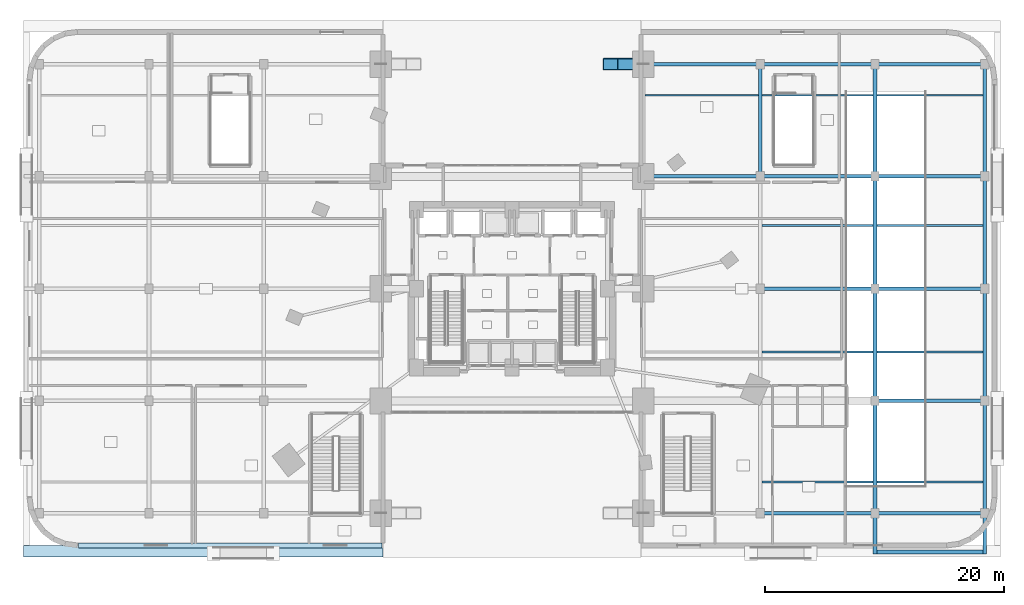
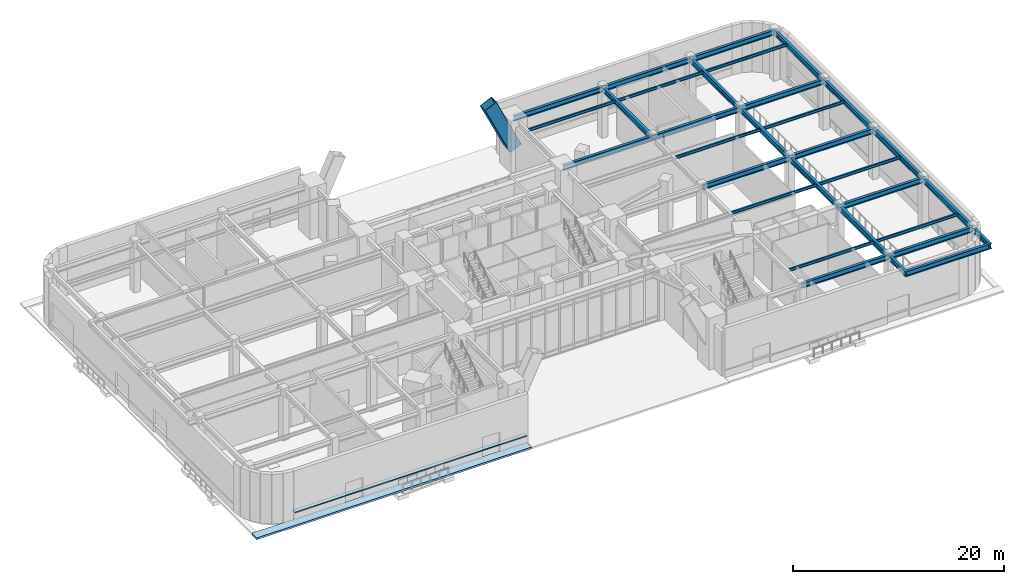
# One storey, part 13 of 27: 32 beams, 1 member, 1 plate, 1 slab.
"""IFC4 building model written with IfcOpenShell, lengths in metres."""

from ifc_helpers import new_model, si_unit, direction, frame, origin, origin_2d, place, context, subcontext, project, spatial, polyline, rectangle, hollow_rectangle, i_section, outline, extrude, material, layer, layer_set, material_profile, profile_set, type_object, element, save


model = new_model("IFC4")

# Units and contexts
model_context = context("Model", 3, precision=1e-05, world=origin(), true_north=direction((0.0, 1.0)))
body_context = subcontext(model_context, "Body", "Model", "MODEL_VIEW")
ifc_project = project(units=[si_unit("LENGTHUNIT", "METRE"), si_unit("AREAUNIT", "SQUARE_METRE"), si_unit("VOLUMEUNIT", "CUBIC_METRE"), si_unit("PLANEANGLEUNIT", "RADIAN"), si_unit("MASSUNIT", "GRAM", prefix="KILO")], contexts=[model_context])

# Site, building, storey
site_placement = place(None, origin())
site = spatial("IfcSite", under=ifc_project, at=site_placement, CompositionType="ELEMENT")
building_placement = place(site_placement, origin())
building = spatial("IfcBuilding", under=site, at=building_placement, Name="Ndelora Gate Hotel", CompositionType="ELEMENT")
storey_placement = place(building_placement, origin())
storey = spatial("IfcBuildingStorey", under=building, at=storey_placement, Name="L00", CompositionType="ELEMENT", Elevation=0.0)

# Beams
ifc_material_1 = material(Name="Steel S355", Category="steel")
ifc_material_profile_1 = material_profile(ifc_material_1, i_section(OverallWidth=0.159912109375, OverallDepth=0.330078125, WebThickness=0.007568359375, FlangeThickness=0.011474609375, FilletRadius=0.01806640625, at=origin_2d()), Name="IPE 330")
ifc_profile_set_1 = profile_set([ifc_material_profile_1], Name="Steel S355")
beam_type_1 = type_object("IfcBeamType", Name="BM-JST-330", PredefinedType="JOIST", material=ifc_profile_set_1)
beam_1_placement = place(storey_placement, frame((20.949951171875, -16.199951171875, 5.554931640625), z_axis=(1.0, 0.0, 0.0), x_axis=(0.0, 1.0, 0.0)))
element("IfcBeam", 1, at=beam_1_placement, inside=storey, type_object=beam_type_1, Name="L00 Podium Composite Secondary Joist 6", PredefinedType="JOIST", context=body_context, shape_type="SweptSolid", body=[
    extrude(i_section(OverallWidth=0.159912109375, OverallDepth=0.330078125, WebThickness=0.007568359375, FlangeThickness=0.011474609375, FilletRadius=0.01806640625, at=origin_2d()), origin(), (0.0, 0.0, 1.0), 9.300048828125),
])
beam_2_placement = place(storey_placement, frame((30.550048828125, -16.199951171875, 5.554931640625), z_axis=(1.0, 0.0, 0.0), x_axis=(0.0, 1.0, 0.0)))
element("IfcBeam", 2, at=beam_2_placement, inside=storey, type_object=beam_type_1, Name="L00 Podium Composite Secondary Joist 7", PredefinedType="JOIST", context=body_context, shape_type="SweptSolid", body=[
    extrude(i_section(OverallWidth=0.159912109375, OverallDepth=0.330078125, WebThickness=0.007568359375, FlangeThickness=0.011474609375, FilletRadius=0.01806640625, at=origin_2d()), origin(), (0.0, 0.0, 1.0), 8.89990234375),
])
beam_3_placement = place(storey_placement, frame((20.949951171875, -5.300048828125, 5.554931640625), z_axis=(1.0, 0.0, 0.0), x_axis=(0.0, 1.0, 0.0)))
element("IfcBeam", 3, at=beam_3_placement, inside=storey, type_object=beam_type_1, Name="L00 Podium Composite Secondary Joist 6", PredefinedType="JOIST", context=body_context, shape_type="SweptSolid", body=[
    extrude(i_section(OverallWidth=0.159912109375, OverallDepth=0.330078125, WebThickness=0.007568359375, FlangeThickness=0.011474609375, FilletRadius=0.01806640625, at=origin_2d()), origin(), (0.0, 0.0, 1.0), 9.300048828125),
])
beam_4_placement = place(storey_placement, frame((30.550048828125, -5.300048828125, 5.554931640625), z_axis=(1.0, 0.0, 0.0), x_axis=(0.0, 1.0, 0.0)))
element("IfcBeam", 4, at=beam_4_placement, inside=storey, type_object=beam_type_1, Name="L00 Podium Composite Secondary Joist 7", PredefinedType="JOIST", context=body_context, shape_type="SweptSolid", body=[
    extrude(i_section(OverallWidth=0.159912109375, OverallDepth=0.330078125, WebThickness=0.007568359375, FlangeThickness=0.011474609375, FilletRadius=0.01806640625, at=origin_2d()), origin(), (0.0, 0.0, 1.0), 8.89990234375),
])
beam_5_placement = place(storey_placement, frame((20.949951171875, 5.300048828125, 5.554931640625), z_axis=(1.0, 0.0, 0.0), x_axis=(0.0, 1.0, 0.0)))
element("IfcBeam", 5, at=beam_5_placement, inside=storey, type_object=beam_type_1, Name="L00 Podium Composite Secondary Joist 6", PredefinedType="JOIST", context=body_context, shape_type="SweptSolid", body=[
    extrude(i_section(OverallWidth=0.159912109375, OverallDepth=0.330078125, WebThickness=0.007568359375, FlangeThickness=0.011474609375, FilletRadius=0.01806640625, at=origin_2d()), origin(), (0.0, 0.0, 1.0), 9.300048828125),
])
beam_6_placement = place(storey_placement, frame((30.550048828125, 5.300048828125, 5.554931640625), z_axis=(1.0, 0.0, 0.0), x_axis=(0.0, 1.0, 0.0)))
element("IfcBeam", 6, at=beam_6_placement, inside=storey, type_object=beam_type_1, Name="L00 Podium Composite Secondary Joist 7", PredefinedType="JOIST", context=body_context, shape_type="SweptSolid", body=[
    extrude(i_section(OverallWidth=0.159912109375, OverallDepth=0.330078125, WebThickness=0.007568359375, FlangeThickness=0.011474609375, FilletRadius=0.01806640625, at=origin_2d()), origin(), (0.0, 0.0, 1.0), 8.89990234375),
])
beam_7_placement = place(storey_placement, frame((11.14990234375, 16.199951171875, 5.554931640625), z_axis=(1.0, 0.0, 0.0), x_axis=(0.0, 1.0, 0.0)))
element("IfcBeam", 7, at=beam_7_placement, inside=storey, type_object=beam_type_1, Name="L00 Podium Composite Secondary Joist 5", PredefinedType="JOIST", context=body_context, shape_type="SweptSolid", body=[
    extrude(i_section(OverallWidth=0.159912109375, OverallDepth=0.330078125, WebThickness=0.007568359375, FlangeThickness=0.011474609375, FilletRadius=0.01806640625, at=origin_2d()), origin(), (0.0, 0.0, 1.0), 9.5),
])
beam_8_placement = place(storey_placement, frame((20.949951171875, 16.199951171875, 5.554931640625), z_axis=(1.0, 0.0, 0.0), x_axis=(0.0, 1.0, 0.0)))
element("IfcBeam", 8, at=beam_8_placement, inside=storey, type_object=beam_type_1, Name="L00 Podium Composite Secondary Joist 6", PredefinedType="JOIST", context=body_context, shape_type="SweptSolid", body=[
    extrude(i_section(OverallWidth=0.159912109375, OverallDepth=0.330078125, WebThickness=0.007568359375, FlangeThickness=0.011474609375, FilletRadius=0.01806640625, at=origin_2d()), origin(), (0.0, 0.0, 1.0), 9.300048828125),
])
beam_9_placement = place(storey_placement, frame((30.550048828125, 16.199951171875, 5.554931640625), z_axis=(1.0, 0.0, 0.0), x_axis=(0.0, 1.0, 0.0)))
element("IfcBeam", 9, at=beam_9_placement, inside=storey, type_object=beam_type_1, Name="L00 Podium Composite Secondary Joist 7", PredefinedType="JOIST", context=body_context, shape_type="SweptSolid", body=[
    extrude(i_section(OverallWidth=0.159912109375, OverallDepth=0.330078125, WebThickness=0.007568359375, FlangeThickness=0.011474609375, FilletRadius=0.01806640625, at=origin_2d()), origin(), (0.0, 0.0, 1.0), 8.89990234375),
])
ifc_material_profile_2 = material_profile(ifc_material_1, i_section(OverallWidth=0.300048828125, OverallDepth=0.60009765625, WebThickness=0.015380859375, FlangeThickness=0.030029296875, FilletRadius=0.027099609375, at=origin_2d()), Name="HEB 600")
ifc_profile_set_2 = profile_set([ifc_material_profile_2], Name="Steel S355")
beam_type_2 = type_object("IfcBeamType", Name="BM-POD-600", PredefinedType="BEAM", material=ifc_profile_set_2)
for number, where, z_axis, x_axis, name in (
    (10, (20.800048828125, 9.39990234375, 5.419921875), (0.0, 1.0, 0.0), (-1.0, 0.0, 0.0), "L00 Podium Longitudinal Girder X=+20.8"),
    (11, (30.39990234375, -18.800048828125, 5.419921875), (0.0, 1.0, 0.0), (-1.0, 0.0, 0.0), "L00 Podium Longitudinal Girder X=+30.4"),
):
    element("IfcBeam", number, at=place(storey_placement, frame(where, z_axis=z_axis, x_axis=x_axis)), inside=storey, type_object=beam_type_2, Name=name, PredefinedType="BEAM", context=body_context, shape_type="SweptSolid", body=[
        extrude(i_section(OverallWidth=0.300048828125, OverallDepth=0.60009765625, WebThickness=0.015380859375, FlangeThickness=0.030029296875, FilletRadius=0.027099609375, at=origin_2d()), origin(), (0.0, 0.0, 1.0), 9.400146484375),
    ])
for number, where, z_axis, x_axis, name in (
    (12, (30.39990234375, -9.39990234375, 5.419921875), (0.0, 1.0, 0.0), (-1.0, 0.0, 0.0), "L00 Podium Longitudinal Girder X=+30.4"),
    (13, (30.39990234375, 0.0, 5.419921875), (0.0, 1.0, 0.0), (-1.0, 0.0, 0.0), "L00 Podium Longitudinal Girder X=+30.4"),
):
    element("IfcBeam", number, at=place(storey_placement, frame(where, z_axis=z_axis, x_axis=x_axis)), inside=storey, type_object=beam_type_2, Name=name, PredefinedType="BEAM", context=body_context, shape_type="SweptSolid", body=[
        extrude(i_section(OverallWidth=0.300048828125, OverallDepth=0.60009765625, WebThickness=0.015380859375, FlangeThickness=0.030029296875, FilletRadius=0.027099609375, at=origin_2d()), origin(), (0.0, 0.0, 1.0), 9.39990234375),
    ])
for number, where, z_axis, x_axis, name in (
    (14, (30.39990234375, 9.39990234375, 5.419921875), (0.0, 1.0, 0.0), (-1.0, 0.0, 0.0), "L00 Podium Longitudinal Girder X=+30.4"),
    (15, (39.60009765625, -18.800048828125, 5.419921875), (0.0, 1.0, 0.0), (-1.0, 0.0, 0.0), "L00 Podium Longitudinal Girder X=+39.6"),
):
    element("IfcBeam", number, at=place(storey_placement, frame(where, z_axis=z_axis, x_axis=x_axis)), inside=storey, type_object=beam_type_2, Name=name, PredefinedType="BEAM", context=body_context, shape_type="SweptSolid", body=[
        extrude(i_section(OverallWidth=0.300048828125, OverallDepth=0.60009765625, WebThickness=0.015380859375, FlangeThickness=0.030029296875, FilletRadius=0.027099609375, at=origin_2d()), origin(), (0.0, 0.0, 1.0), 9.400146484375),
    ])
for number, where, z_axis, x_axis, name in (
    (16, (39.60009765625, -9.39990234375, 5.419921875), (0.0, 1.0, 0.0), (-1.0, 0.0, 0.0), "L00 Podium Longitudinal Girder X=+39.6"),
    (17, (39.60009765625, 0.0, 5.419921875), (0.0, 1.0, 0.0), (-1.0, 0.0, 0.0), "L00 Podium Longitudinal Girder X=+39.6"),
):
    element("IfcBeam", number, at=place(storey_placement, frame(where, z_axis=z_axis, x_axis=x_axis)), inside=storey, type_object=beam_type_2, Name=name, PredefinedType="BEAM", context=body_context, shape_type="SweptSolid", body=[
        extrude(i_section(OverallWidth=0.300048828125, OverallDepth=0.60009765625, WebThickness=0.015380859375, FlangeThickness=0.030029296875, FilletRadius=0.027099609375, at=origin_2d()), origin(), (0.0, 0.0, 1.0), 9.39990234375),
    ])
beam_10_placement = place(storey_placement, frame((39.60009765625, 9.39990234375, 5.419921875), z_axis=(0.0, 1.0, 0.0), x_axis=(-1.0, 0.0, 0.0)))
element("IfcBeam", 18, at=beam_10_placement, inside=storey, type_object=beam_type_2, Name="L00 Podium Longitudinal Girder X=+39.6", PredefinedType="BEAM", context=body_context, shape_type="SweptSolid", body=[
    extrude(i_section(OverallWidth=0.300048828125, OverallDepth=0.60009765625, WebThickness=0.015380859375, FlangeThickness=0.030029296875, FilletRadius=0.027099609375, at=origin_2d()), origin(), (0.0, 0.0, 1.0), 9.400146484375),
])
beam_11_placement = place(storey_placement, frame((20.800048828125, -18.800048828125, 5.419921875), z_axis=(1.0, 0.0, 0.0), x_axis=(0.0, 1.0, 0.0)))
element("IfcBeam", 19, at=beam_11_placement, inside=storey, type_object=beam_type_2, Name="L00 Podium Transverse Girder Y=-18.8", PredefinedType="BEAM", context=body_context, shape_type="SweptSolid", body=[
    extrude(i_section(OverallWidth=0.300048828125, OverallDepth=0.60009765625, WebThickness=0.015380859375, FlangeThickness=0.030029296875, FilletRadius=0.027099609375, at=origin_2d()), origin(), (0.0, 0.0, 1.0), 9.599853515625),
])
for number, where, z_axis, x_axis, name in (
    (20, (30.39990234375, -18.800048828125, 5.419921875), (1.0, 0.0, 0.0), (0.0, 1.0, 0.0), "L00 Podium Transverse Girder Y=-18.8"),
    (21, (30.39990234375, -9.39990234375, 5.419921875), (1.0, 0.0, 0.0), (0.0, 1.0, 0.0), "L00 Podium Transverse Girder Y=-9.4"),
):
    element("IfcBeam", number, at=place(storey_placement, frame(where, z_axis=z_axis, x_axis=x_axis)), inside=storey, type_object=beam_type_2, Name=name, PredefinedType="BEAM", context=body_context, shape_type="SweptSolid", body=[
        extrude(i_section(OverallWidth=0.300048828125, OverallDepth=0.60009765625, WebThickness=0.015380859375, FlangeThickness=0.030029296875, FilletRadius=0.027099609375, at=origin_2d()), origin(), (0.0, 0.0, 1.0), 9.2001953125),
    ])
beam_12_placement = place(storey_placement, frame((20.800048828125, 0.0, 5.419921875), z_axis=(1.0, 0.0, 0.0), x_axis=(0.0, 1.0, 0.0)))
element("IfcBeam", 22, at=beam_12_placement, inside=storey, type_object=beam_type_2, Name="L00 Podium Transverse Girder Y=+0.0", PredefinedType="BEAM", context=body_context, shape_type="SweptSolid", body=[
    extrude(i_section(OverallWidth=0.300048828125, OverallDepth=0.60009765625, WebThickness=0.015380859375, FlangeThickness=0.030029296875, FilletRadius=0.027099609375, at=origin_2d()), origin(), (0.0, 0.0, 1.0), 9.599853515625),
])
beam_13_placement = place(storey_placement, frame((30.39990234375, 0.0, 5.419921875), z_axis=(1.0, 0.0, 0.0), x_axis=(0.0, 1.0, 0.0)))
element("IfcBeam", 23, at=beam_13_placement, inside=storey, type_object=beam_type_2, Name="L00 Podium Transverse Girder Y=+0.0", PredefinedType="BEAM", context=body_context, shape_type="SweptSolid", body=[
    extrude(i_section(OverallWidth=0.300048828125, OverallDepth=0.60009765625, WebThickness=0.015380859375, FlangeThickness=0.030029296875, FilletRadius=0.027099609375, at=origin_2d()), origin(), (0.0, 0.0, 1.0), 9.2001953125),
])
beam_14_placement = place(storey_placement, frame((11.0, 9.39990234375, 5.419921875), z_axis=(1.0, 0.0, 0.0), x_axis=(0.0, 1.0, 0.0)))
element("IfcBeam", 24, at=beam_14_placement, inside=storey, type_object=beam_type_2, Name="L00 Podium Transverse Girder Y=+9.4", PredefinedType="BEAM", context=body_context, shape_type="SweptSolid", body=[
    extrude(i_section(OverallWidth=0.300048828125, OverallDepth=0.60009765625, WebThickness=0.015380859375, FlangeThickness=0.030029296875, FilletRadius=0.027099609375, at=origin_2d()), origin(), (0.0, 0.0, 1.0), 9.800048828125),
])
beam_15_placement = place(storey_placement, frame((20.800048828125, 9.39990234375, 5.419921875), z_axis=(1.0, 0.0, 0.0), x_axis=(0.0, 1.0, 0.0)))
element("IfcBeam", 25, at=beam_15_placement, inside=storey, type_object=beam_type_2, Name="L00 Podium Transverse Girder Y=+9.4", PredefinedType="BEAM", context=body_context, shape_type="SweptSolid", body=[
    extrude(i_section(OverallWidth=0.300048828125, OverallDepth=0.60009765625, WebThickness=0.015380859375, FlangeThickness=0.030029296875, FilletRadius=0.027099609375, at=origin_2d()), origin(), (0.0, 0.0, 1.0), 9.599853515625),
])
beam_16_placement = place(storey_placement, frame((30.39990234375, 9.39990234375, 5.419921875), z_axis=(1.0, 0.0, 0.0), x_axis=(0.0, 1.0, 0.0)))
element("IfcBeam", 26, at=beam_16_placement, inside=storey, type_object=beam_type_2, Name="L00 Podium Transverse Girder Y=+9.4", PredefinedType="BEAM", context=body_context, shape_type="SweptSolid", body=[
    extrude(i_section(OverallWidth=0.300048828125, OverallDepth=0.60009765625, WebThickness=0.015380859375, FlangeThickness=0.030029296875, FilletRadius=0.027099609375, at=origin_2d()), origin(), (0.0, 0.0, 1.0), 9.2001953125),
])
beam_17_placement = place(storey_placement, frame((11.0, 18.800048828125, 5.419921875), z_axis=(1.0, 0.0, 0.0), x_axis=(0.0, 1.0, 0.0)))
element("IfcBeam", 27, at=beam_17_placement, inside=storey, type_object=beam_type_2, Name="L00 Podium Transverse Girder Y=+18.8", PredefinedType="BEAM", context=body_context, shape_type="SweptSolid", body=[
    extrude(i_section(OverallWidth=0.300048828125, OverallDepth=0.60009765625, WebThickness=0.015380859375, FlangeThickness=0.030029296875, FilletRadius=0.027099609375, at=origin_2d()), origin(), (0.0, 0.0, 1.0), 9.800048828125),
])
beam_18_placement = place(storey_placement, frame((20.800048828125, 18.800048828125, 5.419921875), z_axis=(1.0, 0.0, 0.0), x_axis=(0.0, 1.0, 0.0)))
element("IfcBeam", 28, at=beam_18_placement, inside=storey, type_object=beam_type_2, Name="L00 Podium Transverse Girder Y=+18.8", PredefinedType="BEAM", context=body_context, shape_type="SweptSolid", body=[
    extrude(i_section(OverallWidth=0.300048828125, OverallDepth=0.60009765625, WebThickness=0.015380859375, FlangeThickness=0.030029296875, FilletRadius=0.027099609375, at=origin_2d()), origin(), (0.0, 0.0, 1.0), 9.599853515625),
])
beam_19_placement = place(storey_placement, frame((30.39990234375, 18.800048828125, 5.419921875), z_axis=(1.0, 0.0, 0.0), x_axis=(0.0, 1.0, 0.0)))
element("IfcBeam", 29, at=beam_19_placement, inside=storey, type_object=beam_type_2, Name="L00 Podium Transverse Girder Y=+18.8", PredefinedType="BEAM", context=body_context, shape_type="SweptSolid", body=[
    extrude(i_section(OverallWidth=0.300048828125, OverallDepth=0.60009765625, WebThickness=0.015380859375, FlangeThickness=0.030029296875, FilletRadius=0.027099609375, at=origin_2d()), origin(), (0.0, 0.0, 1.0), 9.2001953125),
])
for number, where, z_axis, x_axis, name in (
    (30, (30.39990234375, -19.14990234375, 5.419921875), (0.0, -1.0, 0.0), (1.0, 0.0, 0.0), "L00 South-East Canopy West Outrigger"),
    (31, (39.60009765625, -19.14990234375, 5.419921875), (0.0, -1.0, 0.0), (1.0, 0.0, 0.0), "L00 South-East Canopy East Outrigger"),
):
    element("IfcBeam", number, at=place(storey_placement, frame(where, z_axis=z_axis, x_axis=x_axis)), inside=storey, type_object=beam_type_2, Name=name, PredefinedType="BEAM", context=body_context, shape_type="SweptSolid", body=[
        extrude(i_section(OverallWidth=0.300048828125, OverallDepth=0.60009765625, WebThickness=0.015380859375, FlangeThickness=0.030029296875, FilletRadius=0.027099609375, at=origin_2d()), origin(), (0.0, 0.0, 1.0), 3.050048828125),
    ])
beam_20_placement = place(storey_placement, frame((30.550048828125, -22.050048828125, 5.419921875), z_axis=(1.0, 0.0, 0.0), x_axis=(0.0, 1.0, 0.0)))
element("IfcBeam", 32, at=beam_20_placement, inside=storey, type_object=beam_type_2, Name="L00 South-East Canopy Edge Header", PredefinedType="BEAM", context=body_context, shape_type="SweptSolid", body=[
    extrude(i_section(OverallWidth=0.300048828125, OverallDepth=0.60009765625, WebThickness=0.015380859375, FlangeThickness=0.030029296875, FilletRadius=0.027099609375, at=origin_2d()), origin(), (0.0, 0.0, 1.0), 8.89990234375),
])

# Member
ifc_material_2 = material(Name="Steel S460", Category="steel")
ifc_material_profile_3 = material_profile(ifc_material_2, hollow_rectangle(XDim=1.0, YDim=1.39990234375, WallThickness=0.0400390625, InnerFilletRadius=0.0400390625, OuterFilletRadius=0.080078125, at=origin_2d()), Name="BOX 1400x1000x40")
ifc_profile_set_3 = profile_set([ifc_material_profile_3], Name="Steel S460")
member_type = type_object("IfcMemberType", Name="MB-ARCH-RIB1", PredefinedType="CHORD", material=ifc_profile_set_3)
member_placement = place(storey_placement, frame((8.25, 18.800048828125, 8.018798828125), z_axis=(0.427287163011, 0.0, -0.904115966194), x_axis=(0.0, 1.0, 0.0)))
element("IfcMember", 33, at=member_placement, inside=storey, type_object=member_type, Name="Portal Arch Parabolic Rib N-8", PredefinedType="CHORD", context=body_context, shape_type="SweptSolid", body=[
    extrude(hollow_rectangle(XDim=1.0, YDim=1.39990234375, WallThickness=0.0400390625, InnerFilletRadius=0.0400390625, OuterFilletRadius=0.080078125, at=origin_2d()), origin(), (0.0, 0.0, 1.0), 6.43603515625),
])

# Plate
ifc_material_3 = material(Name="Precast concrete C40/50", Category="concrete")
ifc_layer_1 = layer(ifc_material_3, 0.125)
ifc_layer_set_1 = layer_set([ifc_layer_1], Name="Precast concrete C40/50")
plate_type = type_object("IfcPlateType", Name="PL-SILL-120", PredefinedType="USERDEFINED", material=ifc_layer_set_1)
plate_placement = place(storey_placement, frame((-23.60009765625, -21.5, 0.8173828125), z_axis=(0.0, 0.0, 1.0), x_axis=(1.0, 0.0, 0.0)))
element("IfcPlate", 34, at=plate_placement, inside=storey, type_object=plate_type, Name="L00 Precast Concrete Ribbon Sill Band 29", ObjectType="RIBBON_SILL", PredefinedType="USERDEFINED", context=body_context, shape_type="SweptSolid", body=[
    extrude(rectangle(XDim=25.39990234375, YDim=0.43994140625, at=origin_2d()), origin(), (0.0, 0.0, 1.0), 0.125),
])

# Slab
ifc_layer_2 = layer(ifc_material_3, 0.2099609375)
ifc_layer_set_2 = layer_set([ifc_layer_2], Name="Precast concrete C40/50")
slab_type = type_object("IfcSlabType", Name="SL-PAV-210", PredefinedType="USERDEFINED", material=ifc_layer_set_2)
slab_placement = place(storey_placement, frame((0.0, 0.0, -0.2099609375)))
element("IfcSlab", 35, at=slab_placement, inside=storey, type_object=slab_type, Name="L00 Exterior Street Apron Paving SW", ObjectType="PAVING", PredefinedType="USERDEFINED", context=body_context, shape_type="SweptSolid", body=[
    extrude(outline(polyline([(-40.89990234375, -22.449951171875), (-10.800048828125, -22.449951171875), (-10.800048828125, -21.5), (-40.89990234375, -21.5), (-40.89990234375, -22.449951171875)])), origin(), (0.0, 0.0, 1.0), 0.2099609375),
])

save(model, "model.ifc")
